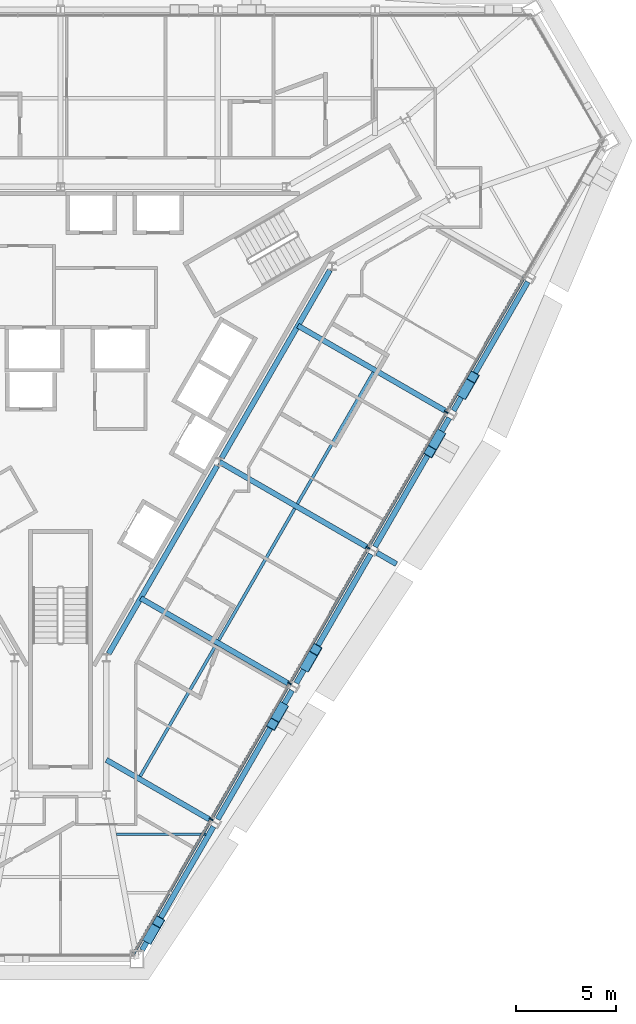
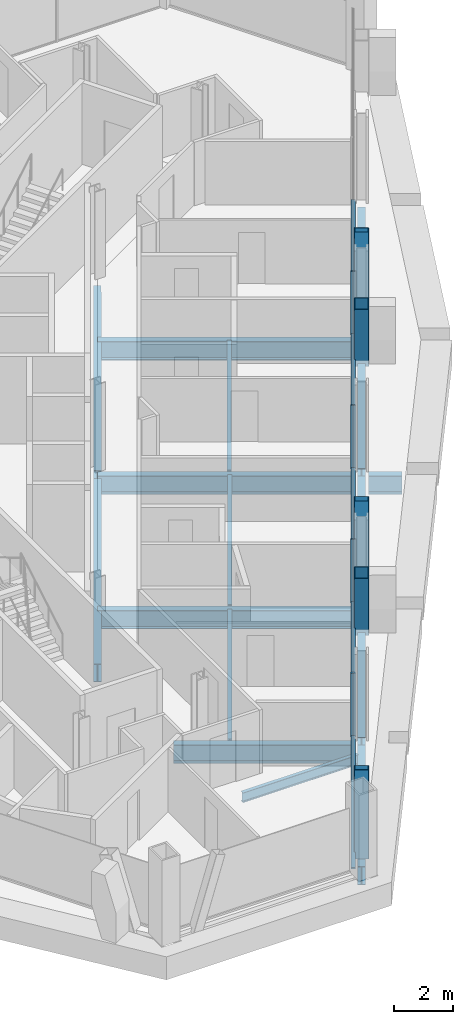
# One storey, part 5 of 17: 16 beams, 14 members, 1 element without a shape of its own.
"""IFC4 building model written with IfcOpenShell, lengths in metres."""

from ifc_helpers import new_model, si_unit, direction, frame, origin, origin_2d, place, context, subcontext, project, spatial, rectangle, hollow_rectangle, i_section, extrude, material, material_profile, profile_set, type_object, element, aggregate, save


model = new_model("IFC4")

# Units and contexts
model_context = context("Model", 3, precision=1e-05, world=origin(), true_north=direction((0.0, 1.0)))
body_context = subcontext(model_context, "Body", "Model", "MODEL_VIEW")
ifc_project = project(units=[si_unit("LENGTHUNIT", "METRE"), si_unit("AREAUNIT", "SQUARE_METRE"), si_unit("VOLUMEUNIT", "CUBIC_METRE"), si_unit("PLANEANGLEUNIT", "RADIAN"), si_unit("MASSUNIT", "GRAM", prefix="KILO")], contexts=[model_context])

# Site, building, storey
site_placement = place(None, origin())
site = spatial("IfcSite", under=ifc_project, at=site_placement, CompositionType="ELEMENT")
building_placement = place(site_placement, origin())
building = spatial("IfcBuilding", under=site, at=building_placement, Name="Verrane Prism Tower", CompositionType="ELEMENT")
storey_placement = place(building_placement, frame((0.0, 0.0, 96.39990234375)))
storey = spatial("IfcBuildingStorey", under=building, at=storey_placement, Name="L22", CompositionType="ELEMENT", Elevation=96.39990234375)

# Beams
ifc_material_1 = material(Name="Steel A992", Category="steel")
ifc_material_profile_1 = material_profile(ifc_material_1, i_section(OverallWidth=0.2666015625, OverallDepth=0.7568359375, WebThickness=0.013916015625, FlangeThickness=0.019287109375, FilletRadius=0.0166015625, at=origin_2d()), Name="W30x108")
ifc_profile_set_1 = profile_set([ifc_material_profile_1], Name="Steel A992")
beam_type_1 = type_object("IfcBeamType", Name="Core ring girder W30x108", PredefinedType="BEAM", material=ifc_profile_set_1)
beam_1_placement = place(storey_placement, frame((2.4150390625, -14.220703125, -0.62841796875), z_axis=(0.500034555306, 0.86600545235, 0.0), x_axis=(-0.86600545235, 0.500034555306, 0.0)))
element("IfcBeam", 1, at=beam_1_placement, inside=storey, type_object=beam_type_1, Name="Core ring girder L22", PredefinedType="BEAM", context=body_context, shape_type="SweptSolid", body=[
    extrude(i_section(OverallWidth=0.2666015625, OverallDepth=0.7568359375, WebThickness=0.013916015625, FlangeThickness=0.019287109375, FilletRadius=0.0166015625, at=origin_2d()), origin(), (0.0, 0.0, 1.0), 10.879150390625),
])
beam_2_placement = place(storey_placement, frame((8.0849609375, -4.400634765625, -0.62841796875), z_axis=(0.4993706109, 0.866388476937, 0.0), x_axis=(-0.866388476937, 0.4993706109, 0.0)))
element("IfcBeam", 2, at=beam_2_placement, inside=storey, type_object=beam_type_1, Name="Core ring girder L22", PredefinedType="BEAM", context=body_context, shape_type="SweptSolid", body=[
    extrude(i_section(OverallWidth=0.2666015625, OverallDepth=0.7568359375, WebThickness=0.013916015625, FlangeThickness=0.019287109375, FilletRadius=0.0166015625, at=origin_2d()), origin(), (0.0, 0.0, 1.0), 10.8740234375),
])

# Members
ifc_material_2 = material(Name="Steel A1085 Grade A", Category="steel")
ifc_material_profile_2 = material_profile(ifc_material_2, hollow_rectangle(XDim=0.508056640625, YDim=0.508056640625, WallThickness=0.025390625, InnerFilletRadius=0.0126953125, OuterFilletRadius=0.0380859375, at=origin_2d()), Name="HSS20x20x1")
ifc_profile_set_2 = profile_set([ifc_material_profile_2], Name="Steel A1085 Grade A")
member_type_1 = type_object("IfcMemberType", Name="Facade brace HSS20x20x1", PredefinedType="BRACE", material=ifc_profile_set_2)
member_1_placement = place(storey_placement, frame((4.440673828125, -28.484130859375, -0.242431640625), z_axis=(0.149563518732, 0.258696091437, 0.954309743291), x_axis=(-0.865727811525, 0.500515091034, 0.0)))
element("IfcMember", 3, at=member_1_placement, inside=storey, type_object=member_type_1, Name="Facade brace SE0 L22", PredefinedType="BRACE", context=body_context, shape_type="SweptSolid", body=[
    extrude(hollow_rectangle(XDim=0.508056640625, YDim=0.508056640625, WallThickness=0.025390625, InnerFilletRadius=0.0126953125, OuterFilletRadius=0.0380859375, at=origin_2d()), origin(), (0.0, 0.0, 1.0), 3.152099609375),
])
member_2_placement = place(storey_placement, frame((11.11083984375, -16.935791015625, -0.242431640625), z_axis=(-0.149184879194, -0.258711057377, 0.954364951479), x_axis=(0.866289199486, -0.499542813835, 0.0)))
element("IfcMember", 4, at=member_2_placement, inside=storey, type_object=member_type_1, Name="Facade brace SE1 L22", PredefinedType="BRACE", context=body_context, shape_type="SweptSolid", body=[
    extrude(hollow_rectangle(XDim=0.508056640625, YDim=0.508056640625, WallThickness=0.025390625, InnerFilletRadius=0.0126953125, OuterFilletRadius=0.0380859375, at=origin_2d()), origin(), (0.0, 0.0, 1.0), 3.15185546875),
])
member_3_placement = place(storey_placement, frame((12.330810546875, -14.822509765625, -0.242431640625), z_axis=(0.149551525764, 0.25898513835, 0.954233220578), x_axis=(-0.865987196472, 0.500066171168, 0.0)))
element("IfcMember", 5, at=member_3_placement, inside=storey, type_object=member_type_1, Name="Facade brace SE2 L22", PredefinedType="BRACE", context=body_context, shape_type="SweptSolid", body=[
    extrude(hollow_rectangle(XDim=0.508056640625, YDim=0.508056640625, WallThickness=0.025390625, InnerFilletRadius=0.0126953125, OuterFilletRadius=0.0380859375, at=origin_2d()), origin(), (0.0, 0.0, 1.0), 3.15234375),
])
for number, where, z_axis, x_axis, name in (
    (6, (19.0009765625, -3.265869140625, -0.242431640625), (-0.149260612357, -0.258708067085, 0.954353920526), (0.866176951033, -0.499737420551, 0.0), "Facade brace SE3 L22"),
    (7, (20.218994140625, -1.154052734375, -0.242431640625), (0.149263603015, 0.258635791628, 0.954373042423), (-0.866112163679, 0.499849697337, 0.0), "Facade brace SE4 L22"),
):
    element("IfcMember", number, at=place(storey_placement, frame(where, z_axis=z_axis, x_axis=x_axis)), inside=storey, type_object=member_type_1, Name=name, PredefinedType="BRACE", context=body_context, shape_type="SweptSolid", body=[
        extrude(hollow_rectangle(XDim=0.508056640625, YDim=0.508056640625, WallThickness=0.025390625, InnerFilletRadius=0.0126953125, OuterFilletRadius=0.0380859375, at=origin_2d()), origin(), (0.0, 0.0, 1.0), 3.15185546875),
    ])

# Beams
ifc_material_3 = material(Name="Steel A992", Category="steel")
ifc_material_profile_3 = material_profile(ifc_material_3, i_section(OverallWidth=0.140380859375, OverallDepth=0.40380859375, WebThickness=0.007080078125, FlangeThickness=0.01123046875, FilletRadius=0.01025390625, at=origin_2d()), Name="W16x31")
ifc_profile_set_3 = profile_set([ifc_material_profile_3], Name="Steel A992")
beam_type_2 = type_object("IfcBeamType", Name="Floor beam W16x31", PredefinedType="BEAM", material=ifc_profile_set_3)
beam_3_placement = place(storey_placement, frame((2.803466796875, -23.280029296875, -0.36181640625), z_axis=(1.0, 0.0, 0.0), x_axis=(0.0, 1.0, 0.0)))
element("IfcBeam", 8, at=beam_3_placement, inside=storey, type_object=beam_type_2, Name="Floor beam L22", PredefinedType="BEAM", context=body_context, shape_type="SweptSolid", body=[
    extrude(i_section(OverallWidth=0.140380859375, OverallDepth=0.40380859375, WebThickness=0.007080078125, FlangeThickness=0.01123046875, FilletRadius=0.01025390625, at=origin_2d()), origin(), (0.0, 0.0, 1.0), 4.49267578125),
])
ifc_material_4 = material(Name="Steel A992", Category="steel")
ifc_material_profile_4 = material_profile(ifc_material_4, i_section(OverallWidth=0.15234375, OverallDepth=0.449462890625, WebThickness=0.007568359375, FlangeThickness=0.0107421875, FilletRadius=0.01025390625, at=origin_2d()), Name="W18x35")
ifc_profile_set_4 = profile_set([ifc_material_profile_4], Name="Steel A992")
beam_type_3 = type_object("IfcBeamType", Name="Floor beam W18x35", PredefinedType="BEAM", material=ifc_profile_set_4)
beam_4_placement = place(storey_placement, frame((3.99560546875, -20.37353515625, -0.384765625), z_axis=(0.499996178778, 0.866027609957, 0.0), x_axis=(-0.866027609957, 0.499996178778, 0.0)))
element("IfcBeam", 9, at=beam_4_placement, inside=storey, type_object=beam_type_3, Name="Floor beam L22", PredefinedType="BEAM", context=body_context, shape_type="SweptSolid", body=[
    extrude(i_section(OverallWidth=0.15234375, OverallDepth=0.449462890625, WebThickness=0.007568359375, FlangeThickness=0.0107421875, FilletRadius=0.01025390625, at=origin_2d()), origin(), (0.0, 0.0, 1.0), 7.61767578125),
])
beam_5_placement = place(storey_placement, frame((7.93701171875, -13.544677734375, -0.384765625), z_axis=(0.499999364504, 0.866025770688, 0.0), x_axis=(-0.866025770688, 0.499999364504, 0.0)))
element("IfcBeam", 10, at=beam_5_placement, inside=storey, type_object=beam_type_3, Name="Floor beam L22", PredefinedType="BEAM", context=body_context, shape_type="SweptSolid", body=[
    extrude(i_section(OverallWidth=0.15234375, OverallDepth=0.449462890625, WebThickness=0.007568359375, FlangeThickness=0.0107421875, FilletRadius=0.01025390625, at=origin_2d()), origin(), (0.0, 0.0, 1.0), 7.6318359375),
])
beam_6_placement = place(storey_placement, frame((11.88330078125, -6.702392578125, -0.384765625), z_axis=(0.500014495457, 0.866017034666, 0.0), x_axis=(-0.866017034666, 0.500014495457, 0.0)))
element("IfcBeam", 11, at=beam_6_placement, inside=storey, type_object=beam_type_3, Name="Floor beam L22", PredefinedType="BEAM", context=body_context, shape_type="SweptSolid", body=[
    extrude(i_section(OverallWidth=0.15234375, OverallDepth=0.449462890625, WebThickness=0.007568359375, FlangeThickness=0.0107421875, FilletRadius=0.01025390625, at=origin_2d()), origin(), (0.0, 0.0, 1.0), 7.622314453125),
])

# Curtain wall, members
ifc_material_5 = material(Name="Aluminium framed insulated glazing", Category="aluminium")
curtain_wall_type = type_object("IfcCurtainWallType", Name="Curtain wall CW-A 8400 module", PredefinedType="NOTDEFINED", material=ifc_material_5)
curtain_wall_placement = place(storey_placement, origin())
curtain_wall = element("IfcCurtainWall", 12, at=curtain_wall_placement, inside=storey, type_object=curtain_wall_type, Name="Glazed curtain wall south-east face L22", PredefinedType="NOTDEFINED")
ifc_material_6 = material(Name="Aluminium alloy 6063-T6", Category="aluminium")
ifc_material_profile_5 = material_profile(ifc_material_6, rectangle(XDim=0.199951171875, YDim=0.070068359375, at=origin_2d()), Name="Mullion 70x200 aluminium")
ifc_profile_set_5 = profile_set([ifc_material_profile_5], Name="Aluminium alloy 6063-T6")
member_type_2 = type_object("IfcMemberType", Name="Mullion 70x200 aluminium", PredefinedType="MULLION", material=ifc_profile_set_5)
member_4_placement = place(storey_placement, frame((7.5615234375, -22.525146484375, 0.0), z_axis=(0.0, 0.0, 1.0), x_axis=(-0.866025621383, 0.499999623108, 0.0)))
member_4 = element("IfcMember", 13, at=member_4_placement, type_object=member_type_2, Name="CW21.6 mullion 2", PredefinedType="MULLION", context=body_context, shape_type="SweptSolid", body=[
    extrude(rectangle(XDim=0.199951171875, YDim=0.070068359375, at=origin_2d()), origin(), (0.0, 0.0, 1.0), 2.613037109375),
])
member_5_placement = place(storey_placement, frame((11.4931640625, -15.71533203125, 0.0), z_axis=(0.0, 0.0, 1.0), x_axis=(-0.866025621383, 0.499999623108, 0.0)))
member_5 = element("IfcMember", 14, at=member_5_placement, type_object=member_type_2, Name="CW21.6 mullion 3", PredefinedType="MULLION", context=body_context, shape_type="SweptSolid", body=[
    extrude(rectangle(XDim=0.199951171875, YDim=0.070068359375, at=origin_2d()), origin(), (0.0, 0.0, 1.0), 2.613037109375),
])
member_6_placement = place(storey_placement, frame((15.4248046875, -8.905517578125, 0.0), z_axis=(0.0, 0.0, 1.0), x_axis=(-0.866025621383, 0.499999623108, 0.0)))
member_6 = element("IfcMember", 15, at=member_6_placement, type_object=member_type_2, Name="CW21.6 mullion 4", PredefinedType="MULLION", context=body_context, shape_type="SweptSolid", body=[
    extrude(rectangle(XDim=0.199951171875, YDim=0.070068359375, at=origin_2d()), origin(), (0.0, 0.0, 1.0), 2.613037109375),
])
member_7_placement = place(storey_placement, frame((19.3564453125, -2.095703125, 0.0), z_axis=(0.0, 0.0, 1.0), x_axis=(-0.866025621383, 0.499999623108, 0.0)))
member_7 = element("IfcMember", 16, at=member_7_placement, type_object=member_type_2, Name="CW21.6 mullion 5", PredefinedType="MULLION", context=body_context, shape_type="SweptSolid", body=[
    extrude(rectangle(XDim=0.199951171875, YDim=0.070068359375, at=origin_2d()), origin(), (0.0, 0.0, 1.0), 2.613037109375),
])

# Beams
ifc_material_7 = material(Name="Steel A992", Category="steel")
ifc_material_profile_6 = material_profile(ifc_material_7, i_section(OverallWidth=0.2666015625, OverallDepth=0.76708984375, WebThickness=0.014892578125, FlangeThickness=0.023681640625, FilletRadius=0.0166015625, at=origin_2d()), Name="W30x124")
ifc_profile_set_6 = profile_set([ifc_material_profile_6], Name="Steel A992")
beam_type_4 = type_object("IfcBeamType", Name="Radial girder W30x124", PredefinedType="BEAM", material=ifc_profile_set_6)
beam_7_placement = place(storey_placement, frame((7.57421875, -22.59130859375, -0.603515625), z_axis=(-0.866016687335, 0.50001509703, 0.0), x_axis=(-0.50001509703, -0.866016687335, 0.0)))
element("IfcBeam", 17, at=beam_7_placement, inside=storey, type_object=beam_type_4, Name="Radial girder L22", PredefinedType="BEAM", context=body_context, shape_type="SweptSolid", body=[
    extrude(i_section(OverallWidth=0.2666015625, OverallDepth=0.76708984375, WebThickness=0.014892578125, FlangeThickness=0.023681640625, FilletRadius=0.0166015625, at=origin_2d()), origin(), (0.0, 0.0, 1.0), 6.090087890625),
])
beam_8_placement = place(storey_placement, frame((11.514404296875, -15.76123046875, -0.603515625), z_axis=(-0.866025318361, 0.500000147958, 0.0), x_axis=(-0.500000147958, -0.866025318361, 0.0)))
element("IfcBeam", 18, at=beam_8_placement, inside=storey, type_object=beam_type_4, Name="Radial girder L22", PredefinedType="BEAM", context=body_context, shape_type="SweptSolid", body=[
    extrude(i_section(OverallWidth=0.2666015625, OverallDepth=0.76708984375, WebThickness=0.014892578125, FlangeThickness=0.023681640625, FilletRadius=0.0166015625, at=origin_2d()), origin(), (0.0, 0.0, 1.0), 8.650390625),
])
beam_9_placement = place(storey_placement, frame((15.46435546875, -8.92138671875, -0.603515625), z_axis=(-0.866014988611, 0.500018039176, 0.0), x_axis=(-0.500018039176, -0.866014988611, 0.0)))
element("IfcBeam", 19, at=beam_9_placement, inside=storey, type_object=beam_type_4, Name="Radial girder L22", PredefinedType="BEAM", context=body_context, shape_type="SweptSolid", body=[
    extrude(i_section(OverallWidth=0.2666015625, OverallDepth=0.76708984375, WebThickness=0.014892578125, FlangeThickness=0.023681640625, FilletRadius=0.0166015625, at=origin_2d()), origin(), (0.0, 0.0, 1.0), 8.651123046875),
])
beam_10_placement = place(storey_placement, frame((19.404296875, -2.09130859375, -0.603515625), z_axis=(-0.866024441312, 0.500001667048, 0.0), x_axis=(-0.500001667048, -0.866024441312, 0.0)))
element("IfcBeam", 20, at=beam_10_placement, inside=storey, type_object=beam_type_4, Name="Radial girder L22", PredefinedType="BEAM", context=body_context, shape_type="SweptSolid", body=[
    extrude(i_section(OverallWidth=0.2666015625, OverallDepth=0.76708984375, WebThickness=0.014892578125, FlangeThickness=0.023681640625, FilletRadius=0.0166015625, at=origin_2d()), origin(), (0.0, 0.0, 1.0), 8.65380859375),
])
beam_11_placement = place(storey_placement, frame((15.872314453125, -9.15673828125, -0.603515625), z_axis=(0.866023381821, -0.500003502126, 0.0), x_axis=(0.500003502126, 0.866023381821, 0.0)))
element("IfcBeam", 21, at=beam_11_placement, inside=storey, type_object=beam_type_4, Name="Cantilever girder L22", PredefinedType="BEAM", context=body_context, shape_type="SweptSolid", body=[
    extrude(i_section(OverallWidth=0.2666015625, OverallDepth=0.76708984375, WebThickness=0.014892578125, FlangeThickness=0.023681640625, FilletRadius=0.0166015625, at=origin_2d()), origin(), (0.0, 0.0, 1.0), 1.1279296875),
])
ifc_material_8 = material(Name="Steel A992", Category="steel")
ifc_material_profile_7 = material_profile(ifc_material_8, i_section(OverallWidth=0.2666015625, OverallDepth=0.7568359375, WebThickness=0.013916015625, FlangeThickness=0.019287109375, FilletRadius=0.0166015625, at=origin_2d()), Name="W30x108")
ifc_profile_set_7 = profile_set([ifc_material_profile_7], Name="Steel A992")
beam_type_5 = type_object("IfcBeamType", Name="Spandrel beam W30x108", PredefinedType="SPANDREL", material=ifc_profile_set_7)
beam_12_placement = place(storey_placement, frame((4.090087890625, -29.090087890625, -0.538330078125), z_axis=(0.50064633236, 0.865651921903, 0.0), x_axis=(-0.865651921903, 0.50064633236, 0.0)))
element("IfcBeam", 22, at=beam_12_placement, inside=storey, type_object=beam_type_5, Name="Spandrel beam L22", PredefinedType="SPANDREL", context=body_context, shape_type="SweptSolid", body=[
    extrude(i_section(OverallWidth=0.2666015625, OverallDepth=0.7568359375, WebThickness=0.013916015625, FlangeThickness=0.019287109375, FilletRadius=0.0166015625, at=origin_2d()), origin(), (0.0, 0.0, 1.0), 7.158203125),
])
beam_13_placement = place(storey_placement, frame((7.885986328125, -22.5263671875, -0.538330078125), z_axis=(0.499679960224, 0.866210100005, 0.0), x_axis=(-0.866210100005, 0.499679960224, 0.0)))
element("IfcBeam", 23, at=beam_13_placement, inside=storey, type_object=beam_type_5, Name="Spandrel beam L22", PredefinedType="SPANDREL", context=body_context, shape_type="SweptSolid", body=[
    extrude(i_section(OverallWidth=0.2666015625, OverallDepth=0.7568359375, WebThickness=0.013916015625, FlangeThickness=0.019287109375, FilletRadius=0.0166015625, at=origin_2d()), origin(), (0.0, 0.0, 1.0), 7.4609375),
])
beam_14_placement = place(storey_placement, frame((11.826171875, -15.6962890625, -0.538330078125), z_axis=(0.500080587159, 0.865978871767, 0.0), x_axis=(-0.865978871767, 0.500080587159, 0.0)))
element("IfcBeam", 24, at=beam_14_placement, inside=storey, type_object=beam_type_5, Name="Spandrel beam L22", PredefinedType="SPANDREL", context=body_context, shape_type="SweptSolid", body=[
    extrude(i_section(OverallWidth=0.2666015625, OverallDepth=0.7568359375, WebThickness=0.013916015625, FlangeThickness=0.019287109375, FilletRadius=0.0166015625, at=origin_2d()), origin(), (0.0, 0.0, 1.0), 7.474365234375),
])
beam_15_placement = place(storey_placement, frame((15.77587890625, -8.856201171875, -0.538330078125), z_axis=(0.499694123976, 0.866201929381, 0.0), x_axis=(-0.866201929381, 0.499694123976, 0.0)))
element("IfcBeam", 25, at=beam_15_placement, inside=storey, type_object=beam_type_5, Name="Spandrel beam L22", PredefinedType="SPANDREL", context=body_context, shape_type="SweptSolid", body=[
    extrude(i_section(OverallWidth=0.2666015625, OverallDepth=0.7568359375, WebThickness=0.013916015625, FlangeThickness=0.019287109375, FilletRadius=0.0166015625, at=origin_2d()), origin(), (0.0, 0.0, 1.0), 7.460693359375),
])
beam_16_placement = place(storey_placement, frame((19.716064453125, -2.0263671875, -0.538330078125), z_axis=(0.499679960224, 0.866210100005, 0.0), x_axis=(-0.866210100005, 0.499679960224, 0.0)))
element("IfcBeam", 26, at=beam_16_placement, inside=storey, type_object=beam_type_5, Name="Spandrel beam L22", PredefinedType="SPANDREL", context=body_context, shape_type="SweptSolid", body=[
    extrude(i_section(OverallWidth=0.2666015625, OverallDepth=0.7568359375, WebThickness=0.013916015625, FlangeThickness=0.019287109375, FilletRadius=0.0166015625, at=origin_2d()), origin(), (0.0, 0.0, 1.0), 7.4609375),
])

# Member
ifc_material_9 = material(Name="Aluminium alloy 6063-T6", Category="aluminium")
ifc_material_profile_8 = material_profile(ifc_material_9, rectangle(XDim=0.14990234375, YDim=0.070068359375, at=origin_2d()), Name="Transom 70x150 aluminium")
ifc_profile_set_8 = profile_set([ifc_material_profile_8], Name="Aluminium alloy 6063-T6")
member_type_3 = type_object("IfcMemberType", Name="Transom 70x150 aluminium", PredefinedType="USERDEFINED", material=ifc_profile_set_8)
member_8_placement = place(storey_placement, frame((3.664794921875, -29.274169921875, 0.03515625), z_axis=(0.50000756646, 0.866021035243, 0.0), x_axis=(-0.866021035243, 0.50000756646, 0.0)))
member_8 = element("IfcMember", 27, at=member_8_placement, type_object=member_type_3, Name="CW21.6 transom 1", ObjectType="TRANSOM", PredefinedType="USERDEFINED", context=body_context, shape_type="SweptSolid", body=[
    extrude(rectangle(XDim=0.14990234375, YDim=0.070068359375, at=origin_2d()), origin(), (0.0, 0.0, 1.0), 7.75830078125),
])

member_9_placement = place(storey_placement, frame((7.5791015625, -22.49462890625, 0.03515625), z_axis=(0.499993636311, 0.866029077831, 0.0), x_axis=(-0.866029077831, 0.499993636311, 0.0)))
member_9 = element("IfcMember", 28, at=member_9_placement, type_object=member_type_3, Name="CW21.6 transom 2", ObjectType="TRANSOM", PredefinedType="USERDEFINED", context=body_context, shape_type="SweptSolid", body=[
    extrude(rectangle(XDim=0.14990234375, YDim=0.070068359375, at=origin_2d()), origin(), (0.0, 0.0, 1.0), 7.79296875),
])

member_10_placement = place(storey_placement, frame((11.5107421875, -15.68505859375, 0.03515625), z_axis=(0.499980071345, 0.866036909293, 0.0), x_axis=(-0.866036909293, 0.499980071345, 0.0)))
member_10 = element("IfcMember", 29, at=member_10_placement, type_object=member_type_3, Name="CW21.6 transom 3", ObjectType="TRANSOM", PredefinedType="USERDEFINED", context=body_context, shape_type="SweptSolid", body=[
    extrude(rectangle(XDim=0.14990234375, YDim=0.070068359375, at=origin_2d()), origin(), (0.0, 0.0, 1.0), 7.793212890625),
])

member_11_placement = place(storey_placement, frame((15.442138671875, -8.875244140625, 0.03515625), z_axis=(0.500003566721, 0.866023344527, 0.0), x_axis=(-0.866023344527, 0.500003566721, 0.0)))
member_11 = element("IfcMember", 30, at=member_11_placement, type_object=member_type_3, Name="CW21.6 transom 4", ObjectType="TRANSOM", PredefinedType="USERDEFINED", context=body_context, shape_type="SweptSolid", body=[
    extrude(rectangle(XDim=0.14990234375, YDim=0.070068359375, at=origin_2d()), origin(), (0.0, 0.0, 1.0), 7.79345703125),
])

member_12_placement = place(storey_placement, frame((19.373779296875, -2.0654296875, 0.03515625), z_axis=(0.500003566721, 0.866023344527, 0.0), x_axis=(-0.866023344527, 0.500003566721, 0.0)))
member_12 = element("IfcMember", 31, at=member_12_placement, type_object=member_type_3, Name="CW21.6 transom 5", ObjectType="TRANSOM", PredefinedType="USERDEFINED", context=body_context, shape_type="SweptSolid", body=[
    extrude(rectangle(XDim=0.14990234375, YDim=0.070068359375, at=origin_2d()), origin(), (0.0, 0.0, 1.0), 7.79345703125),
])

aggregate(curtain_wall, [member_4, member_5, member_6, member_7, member_8, member_9, member_10, member_11, member_12])

save(model, "model.ifc")
